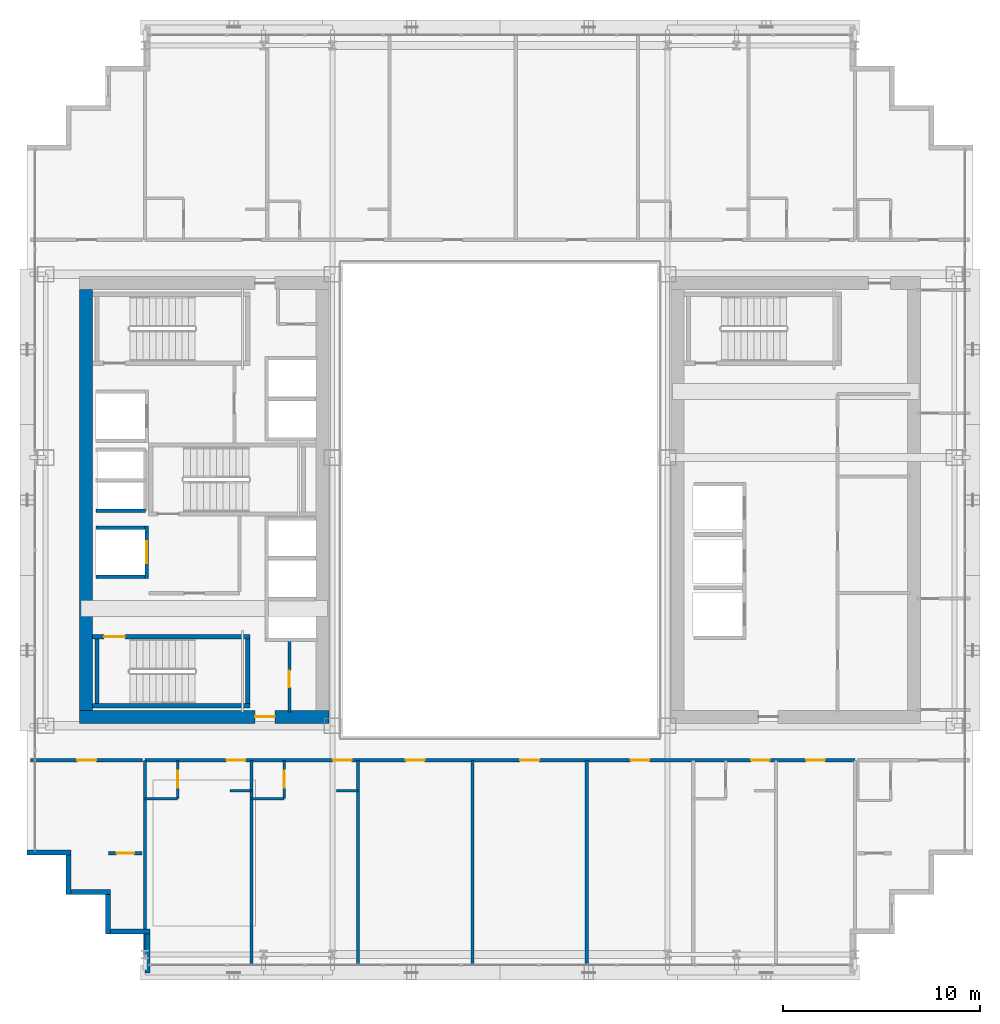
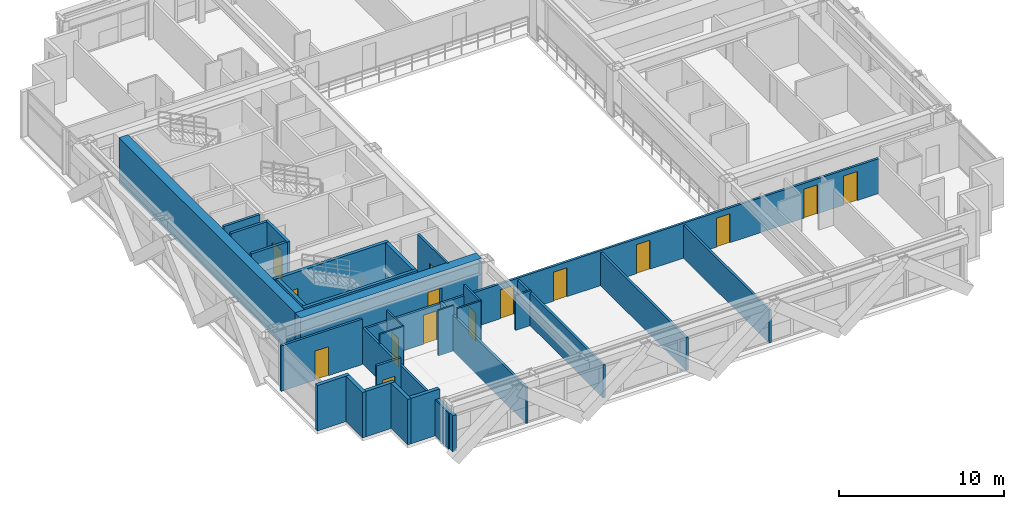
# One storey, part 27 of 35: 31 walls, 15 doors, 15 openings.
"""IFC4 building model written with IfcOpenShell, lengths in metres."""

from ifc_helpers import new_model, si_unit, direction, frame, frame_2d, origin, place, context, subcontext, project, spatial, rectangle, extrude, source, transform, mapped, material, layer, layer_set, type_object, element, fill, save


model = new_model("IFC4")

# Units and contexts
model_context = context("Model", 3, precision=1e-05, world=origin(), true_north=direction((0.0, 1.0)))
body_context = subcontext(model_context, "Body", "Model", "MODEL_VIEW")
ifc_project = project(units=[si_unit("LENGTHUNIT", "METRE"), si_unit("AREAUNIT", "SQUARE_METRE"), si_unit("VOLUMEUNIT", "CUBIC_METRE"), si_unit("PLANEANGLEUNIT", "RADIAN"), si_unit("MASSUNIT", "GRAM", prefix="KILO")], contexts=[model_context])

# Site, building, storey
site_placement = place(None, origin())
site = spatial("IfcSite", under=ifc_project, at=site_placement, CompositionType="ELEMENT")
building_placement = place(site_placement, origin())
building = spatial("IfcBuilding", under=site, at=building_placement, Name="Ocotamira Hotel", CompositionType="ELEMENT")
storey_placement = place(building_placement, frame((0.0, 0.0, 118.800048828125)))
storey = spatial("IfcBuildingStorey", under=building, at=storey_placement, Name="L29", CompositionType="ELEMENT", Elevation=118.800048828125)

# Wall, opening, door
ifc_material_1 = material(Name="Concrete C60/75", Category="concrete")
ifc_layer_1 = layer(ifc_material_1, 0.64990234375)
ifc_layer_set_1 = layer_set([ifc_layer_1], Name="Concrete C60/75")
wall_type_1 = type_object("IfcWallType", Name="WL-CORE-650", PredefinedType="SHEAR", material=ifc_layer_set_1)
wall_1_placement = place(storey_placement, frame((10.675048828125, 15.0, 0.0), z_axis=(0.0, 0.0, 1.0), x_axis=(1.0, 0.0, 0.0)))
wall_1 = element("IfcWall", 1, at=wall_1_placement, inside=storey, type_object=wall_type_1, Name="L29 Shear Core Wall WCORE-S", PredefinedType="SHEAR", context=body_context, shape_type="SweptSolid", body=[
    extrude(rectangle(XDim=12.64990234375, YDim=0.64990234375, at=frame_2d((6.324951171875, 0.0))), origin(), (0.0, 0.0, 1.0), 3.35986328125),
])
opening_1_placement = place(wall_1_placement, frame((8.905029296875, 0.0, 0.0)))
opening_1 = element("IfcOpeningElement", 2, at=opening_1_placement, cuts=wall_1, Name="Opening D-FR2", PredefinedType="OPENING", context=body_context, shape_type="SweptSolid", body=[
    extrude(rectangle(XDim=1.0, YDim=2.14990234375, at=frame_2d((0.5, 1.074951171875))), frame((0.0, 0.3349609375, 0.0), z_axis=(0.0, -1.0, 0.0), x_axis=(1.0, 0.0, 0.0)), (0.0, 0.0, 1.0), 0.669921875),
])
ifc_material_2 = material(Name="Fire-rated acoustic timber-veneer door", Category="wood")
door_type_1 = type_object("IfcDoorType", Name="DR-FIRE-1000", OperationType="NOTDEFINED", PredefinedType="DOOR", material=ifc_material_2)
shared_shape_1 = source(origin(), body_context, "Body", "SweptSolid", [
    extrude(rectangle(XDim=1.0, YDim=2.14990234375, at=frame_2d((0.5, 1.074951171875))), frame((0.0, 0.02490234375, 0.0), z_axis=(0.0, -1.0, 0.0), x_axis=(1.0, 0.0, 0.0)), (0.0, 0.0, 1.0), 0.050048828125),
])
door_1_placement = place(opening_1_placement, origin())
door_1 = element("IfcDoor", 3, at=door_1_placement, inside=storey, type_object=door_type_1, Name="L29 Door ID-L29-WLOB-S-D [ID-L29-WLOB-S-D]", OperationType="SINGLE_SWING_LEFT", OverallHeight=2.14990234375, OverallWidth=1.0, PredefinedType="DOOR", context=body_context, shape_type="MappedRepresentation", body=[
    mapped(shared_shape_1, transform((0.0, 0.0, 0.0), scale=1.0)),
])
fill(opening_1, door_1)

# Walls
wall_2_placement = place(storey_placement, frame((11.0, 15.324951171875, 0.0), z_axis=(0.0, 0.0, 1.0), x_axis=(0.0, 1.0, 0.0)))
element("IfcWall", 4, at=wall_2_placement, inside=storey, type_object=wall_type_1, Name="L29 Shear Core Wall WCORE-W", PredefinedType="SHEAR", context=body_context, shape_type="SweptSolid", body=[
    extrude(rectangle(XDim=21.35009765625, YDim=0.64990234375, at=frame_2d((10.675048828125, 0.0))), origin(), (0.0, 0.0, 1.0), 3.35986328125),
])
ifc_material_3 = material(Name="Precast concrete C45/55", Category="concrete")
ifc_layer_2 = layer(ifc_material_3, 0.25)
ifc_layer_set_2 = layer_set([ifc_layer_2], Name="Precast concrete C45/55")
wall_type_2 = type_object("IfcWallType", Name="WL-EXT-SER-250", PredefinedType="SOLIDWALL", material=ifc_layer_set_2)
wall_3_placement = place(storey_placement, frame((8.0, 8.125, 0.0), z_axis=(0.0, 0.0, 1.0), x_axis=(1.0, 0.0, 0.0)))
element("IfcWall", 5, at=wall_3_placement, inside=storey, type_object=wall_type_2, Name="L29 Serrated Corner Wall 19", PredefinedType="SOLIDWALL", context=body_context, shape_type="SweptSolid", body=[
    extrude(rectangle(XDim=2.25, YDim=0.25, at=frame_2d((1.125, 0.0))), origin(), (0.0, 0.0, 1.0), 3.35986328125),
])
for number, where, z_axis, x_axis, name in (
    (6, (10.125, 8.0, 0.0), (0.0, 0.0, 1.0), (0.0, -1.0, 0.0), "L29 Serrated Corner Wall 20"),
    (7, (10.25, 6.125, 0.0), (0.0, 0.0, 1.0), (1.0, 0.0, 0.0), "L29 Serrated Corner Wall 21"),
    (8, (12.125, 6.0, 0.0), (0.0, 0.0, 1.0), (0.0, -1.0, 0.0), "L29 Serrated Corner Wall 22"),
    (9, (12.25, 4.125, 0.0), (0.0, 0.0, 1.0), (1.0, 0.0, 0.0), "L29 Serrated Corner Wall 23"),
):
    element("IfcWall", number, at=place(storey_placement, frame(where, z_axis=z_axis, x_axis=x_axis)), inside=storey, type_object=wall_type_2, Name=name, PredefinedType="SOLIDWALL", context=body_context, shape_type="SweptSolid", body=[
        extrude(rectangle(XDim=2.0, YDim=0.25, at=frame_2d((1.0, 0.0))), origin(), (0.0, 0.0, 1.0), 3.35986328125),
    ])
wall_4_placement = place(storey_placement, frame((14.125, 4.0, 0.0), z_axis=(0.0, 0.0, 1.0), x_axis=(0.0, -1.0, 0.0)))
element("IfcWall", 10, at=wall_4_placement, inside=storey, type_object=wall_type_2, Name="L29 Serrated Corner Wall 24", PredefinedType="SOLIDWALL", context=body_context, shape_type="SweptSolid", body=[
    extrude(rectangle(XDim=2.0, YDim=0.25, at=frame_2d((1.0, 0.0))), origin(), (0.0, 0.0, 1.0), 2.6669921875),
])

# Wall, opening, door
ifc_material_4 = material(Name="Acoustic double-layer fire gypsum board partition", Category="gypsum")
ifc_layer_3 = layer(ifc_material_4, 0.159912109375)
ifc_layer_set_3 = layer_set([ifc_layer_3], Name="Acoustic double-layer fire gypsum board partition")
wall_type_3 = type_object("IfcWallType", Name="WL-FIRE-160", PredefinedType="PARTITIONING", material=ifc_layer_set_3)
wall_5_placement = place(storey_placement, frame((8.199951171875, 12.800048828125, 0.0), z_axis=(0.0, 0.0, 1.0), x_axis=(1.0, 0.0, 0.0)))
wall_5 = element("IfcWall", 11, at=wall_5_placement, inside=storey, type_object=wall_type_3, Name="L29 Interior Wall PW-L29-Z2C-CSW-CW", PredefinedType="PARTITIONING", context=body_context, shape_type="SweptSolid", body=[
    extrude(rectangle(XDim=5.679931640625, YDim=0.159912109375, at=frame_2d((2.83984375, 0.0))), origin(), (0.0, 0.0, 1.0), 3.35986328125),
])
opening_2_placement = place(wall_5_placement, frame((2.360107421875, 0.0, 0.0)))
opening_2 = element("IfcOpeningElement", 12, at=opening_2_placement, cuts=wall_5, Name="Opening D-SV4", PredefinedType="OPENING", context=body_context, shape_type="SweptSolid", body=[
    extrude(rectangle(XDim=0.9599609375, YDim=2.14990234375, at=frame_2d((0.47998046875, 1.074951171875))), frame((0.0, 0.08984375, 0.0), z_axis=(0.0, -1.0, 0.0), x_axis=(1.0, 0.0, 0.0)), (0.0, 0.0, 1.0), 0.179931640625),
])
ifc_material_5 = material(Name="Fire-rated accessible walnut salon door", Category="wood")
door_type_2 = type_object("IfcDoorType", Name="DR-SERV-960", OperationType="NOTDEFINED", PredefinedType="DOOR", material=ifc_material_5)
shared_shape_2 = source(origin(), body_context, "Body", "SweptSolid", [
    extrude(rectangle(XDim=0.9599609375, YDim=2.14990234375, at=frame_2d((0.47998046875, 1.074951171875))), frame((0.0, 0.02490234375, 0.0), z_axis=(0.0, -1.0, 0.0), x_axis=(1.0, 0.0, 0.0)), (0.0, 0.0, 1.0), 0.050048828125),
])
door_2_placement = place(opening_2_placement, origin())
door_2 = element("IfcDoor", 13, at=door_2_placement, inside=storey, type_object=door_type_2, Name="L29 Door ID-L29-Z2C-CSW-CD [ID-L29-Z2C-CSW-CD]", OperationType="SINGLE_SWING_LEFT", OverallHeight=2.14990234375, OverallWidth=0.9599609375, PredefinedType="DOOR", context=body_context, shape_type="MappedRepresentation", body=[
    mapped(shared_shape_2, transform((0.0, 0.0, 0.0), scale=1.0)),
])
fill(opening_2, door_2)

wall_6_placement = place(storey_placement, frame((12.14990234375, 8.080078125, 0.0), z_axis=(0.0, 0.0, 1.0), x_axis=(1.0, 0.0, 0.0)))
wall_6 = element("IfcWall", 14, at=wall_6_placement, inside=storey, type_object=wall_type_3, Name="L29 Interior Wall PW-L29-Z2C-CSW2-CW", PredefinedType="PARTITIONING", context=body_context, shape_type="SweptSolid", body=[
    extrude(rectangle(XDim=1.7001953125, YDim=0.159912109375, at=frame_2d((0.85009765625, 0.0))), origin(), (0.0, 0.0, 1.0), 3.35986328125),
])
opening_3_placement = place(wall_6_placement, frame((0.409912109375, 0.0, 0.0)))
opening_3 = element("IfcOpeningElement", 15, at=opening_3_placement, cuts=wall_6, Name="Opening D-SV2", PredefinedType="OPENING", context=body_context, shape_type="SweptSolid", body=[
    extrude(rectangle(XDim=0.8798828125, YDim=2.14990234375, at=frame_2d((0.43994140625, 1.074951171875))), frame((0.0, 0.08984375, 0.0), z_axis=(0.0, -1.0, 0.0), x_axis=(1.0, 0.0, 0.0)), (0.0, 0.0, 1.0), 0.179931640625),
])
ifc_material_6 = material(Name="Fire-rated painted steel service door", Category="steel")
door_type_3 = type_object("IfcDoorType", Name="DR-SERV-880", OperationType="NOTDEFINED", PredefinedType="DOOR", material=ifc_material_6)
shared_shape_3 = source(origin(), body_context, "Body", "SweptSolid", [
    extrude(rectangle(XDim=0.8798828125, YDim=2.14990234375, at=frame_2d((0.43994140625, 1.074951171875))), frame((0.0, 0.02490234375, 0.0), z_axis=(0.0, -1.0, 0.0), x_axis=(1.0, 0.0, 0.0)), (0.0, 0.0, 1.0), 0.050048828125),
])
door_3_placement = place(opening_3_placement, origin())
door_3 = element("IfcDoor", 16, at=door_3_placement, inside=storey, type_object=door_type_3, Name="L29 Door ID-L29-Z2C-CSW2-CD [ID-L29-Z2C-CSW2-CD]", OperationType="SINGLE_SWING_LEFT", OverallHeight=2.14990234375, OverallWidth=0.8798828125, PredefinedType="DOOR", context=body_context, shape_type="MappedRepresentation", body=[
    mapped(shared_shape_3, transform((0.0, 0.0, 0.0), scale=1.0)),
])
fill(opening_3, door_3)

# Wall, openings, doors
wall_7_placement = place(storey_placement, frame((14.0, 12.800048828125, 0.0), z_axis=(0.0, 0.0, 1.0), x_axis=(1.0, 0.0, 0.0)))
wall_7 = element("IfcWall", 17, at=wall_7_placement, inside=storey, type_object=wall_type_3, Name="L29 Interior Wall PW-L29-Z2CS-CORRW", PredefinedType="PARTITIONING", context=body_context, shape_type="SweptSolid", body=[
    extrude(rectangle(XDim=36.0, YDim=0.159912109375, at=frame_2d((18.0, 0.0))), origin(), (0.0, 0.0, 1.0), 2.5810546875),
])
opening_4_placement = place(wall_7_placement, frame((4.139892578125, 0.0, 0.0)))
opening_4 = element("IfcOpeningElement", 18, at=opening_4_placement, cuts=wall_7, Name="Opening D-GR1", PredefinedType="OPENING", context=body_context, shape_type="SweptSolid", body=[
    extrude(rectangle(XDim=0.93994140625, YDim=2.14990234375, at=frame_2d((0.469970703125, 1.074951171875))), frame((0.0, 0.08984375, 0.0), z_axis=(0.0, -1.0, 0.0), x_axis=(1.0, 0.0, 0.0)), (0.0, 0.0, 1.0), 0.179931640625),
])
opening_5_placement = place(wall_7_placement, frame((9.5400390625, 0.0, 0.0)))
opening_5 = element("IfcOpeningElement", 19, at=opening_5_placement, cuts=wall_7, Name="Opening D-GR1", PredefinedType="OPENING", context=body_context, shape_type="SweptSolid", body=[
    extrude(rectangle(XDim=0.93994140625, YDim=2.14990234375, at=frame_2d((0.469970703125, 1.074951171875))), frame((0.0, 0.08984375, 0.0), z_axis=(0.0, -1.0, 0.0), x_axis=(1.0, 0.0, 0.0)), (0.0, 0.0, 1.0), 0.179931640625),
])
opening_6_placement = place(wall_7_placement, frame((13.219970703125, 0.0, 0.0)))
opening_6 = element("IfcOpeningElement", 20, at=opening_6_placement, cuts=wall_7, Name="Opening D-SV4", PredefinedType="OPENING", context=body_context, shape_type="SweptSolid", body=[
    extrude(rectangle(XDim=0.9599609375, YDim=2.14990234375, at=frame_2d((0.47998046875, 1.074951171875))), frame((0.0, 0.08984375, 0.0), z_axis=(0.0, -1.0, 0.0), x_axis=(1.0, 0.0, 0.0)), (0.0, 0.0, 1.0), 0.179931640625),
])
opening_7_placement = place(wall_7_placement, frame((19.02001953125, 0.0, 0.0)))
opening_7 = element("IfcOpeningElement", 21, at=opening_7_placement, cuts=wall_7, Name="Opening D-SV4", PredefinedType="OPENING", context=body_context, shape_type="SweptSolid", body=[
    extrude(rectangle(XDim=0.9599609375, YDim=2.14990234375, at=frame_2d((0.47998046875, 1.074951171875))), frame((0.0, 0.08984375, 0.0), z_axis=(0.0, -1.0, 0.0), x_axis=(1.0, 0.0, 0.0)), (0.0, 0.0, 1.0), 0.179931640625),
])
opening_8_placement = place(wall_7_placement, frame((24.6201171875, 0.0, 0.0)))
opening_8 = element("IfcOpeningElement", 22, at=opening_8_placement, cuts=wall_7, Name="Opening D-SV4", PredefinedType="OPENING", context=body_context, shape_type="SweptSolid", body=[
    extrude(rectangle(XDim=0.9599609375, YDim=2.14990234375, at=frame_2d((0.47998046875, 1.074951171875))), frame((0.0, 0.08984375, 0.0), z_axis=(0.0, -1.0, 0.0), x_axis=(1.0, 0.0, 0.0)), (0.0, 0.0, 1.0), 0.179931640625),
])
opening_9_placement = place(wall_7_placement, frame((30.739990234375, 0.0, 0.0)))
opening_9 = element("IfcOpeningElement", 23, at=opening_9_placement, cuts=wall_7, Name="Opening D-GR1", PredefinedType="OPENING", context=body_context, shape_type="SweptSolid", body=[
    extrude(rectangle(XDim=0.93994140625, YDim=2.14990234375, at=frame_2d((0.469970703125, 1.074951171875))), frame((0.0, 0.08984375, 0.0), z_axis=(0.0, -1.0, 0.0), x_axis=(1.0, 0.0, 0.0)), (0.0, 0.0, 1.0), 0.179931640625),
])
opening_10_placement = place(wall_7_placement, frame((33.52001953125, 0.0, 0.0)))
opening_10 = element("IfcOpeningElement", 24, at=opening_10_placement, cuts=wall_7, Name="Opening D-SV4", PredefinedType="OPENING", context=body_context, shape_type="SweptSolid", body=[
    extrude(rectangle(XDim=0.9599609375, YDim=2.14990234375, at=frame_2d((0.47998046875, 1.074951171875))), frame((0.0, 0.08984375, 0.0), z_axis=(0.0, -1.0, 0.0), x_axis=(1.0, 0.0, 0.0)), (0.0, 0.0, 1.0), 0.179931640625),
])
door_4_placement = place(opening_6_placement, origin())
door_4 = element("IfcDoor", 25, at=door_4_placement, inside=storey, type_object=door_type_2, Name="L29 Door ID-L29-Z2CS-AMD3 [ID-L29-Z2CS-AMD3]", OperationType="SINGLE_SWING_LEFT", OverallHeight=2.14990234375, OverallWidth=0.9599609375, PredefinedType="DOOR", context=body_context, shape_type="MappedRepresentation", body=[
    mapped(shared_shape_2, transform((0.0, 0.0, 0.0), scale=1.0)),
])
fill(opening_6, door_4)
door_5_placement = place(opening_7_placement, origin())
door_5 = element("IfcDoor", 26, at=door_5_placement, inside=storey, type_object=door_type_2, Name="L29 Door ID-L29-Z2CS-AMD4 [ID-L29-Z2CS-AMD4]", OperationType="SINGLE_SWING_RIGHT", OverallHeight=2.14990234375, OverallWidth=0.9599609375, PredefinedType="DOOR", context=body_context, shape_type="MappedRepresentation", body=[
    mapped(shared_shape_2, transform((0.0, 0.0, 0.0), scale=1.0)),
])
fill(opening_7, door_5)
door_6_placement = place(opening_8_placement, origin())
door_6 = element("IfcDoor", 27, at=door_6_placement, inside=storey, type_object=door_type_2, Name="L29 Door ID-L29-Z2CS-AMD5 [ID-L29-Z2CS-AMD5]", OperationType="SINGLE_SWING_LEFT", OverallHeight=2.14990234375, OverallWidth=0.9599609375, PredefinedType="DOOR", context=body_context, shape_type="MappedRepresentation", body=[
    mapped(shared_shape_2, transform((0.0, 0.0, 0.0), scale=1.0)),
])
fill(opening_8, door_6)
door_7_placement = place(opening_10_placement, origin())
door_7 = element("IfcDoor", 28, at=door_7_placement, inside=storey, type_object=door_type_2, Name="L29 Door ID-L29-Z2CS-AMD7 [ID-L29-Z2CS-AMD7]", OperationType="SINGLE_SWING_LEFT", OverallHeight=2.14990234375, OverallWidth=0.9599609375, PredefinedType="DOOR", context=body_context, shape_type="MappedRepresentation", body=[
    mapped(shared_shape_2, transform((0.0, 0.0, 0.0), scale=1.0)),
])
fill(opening_10, door_7)
ifc_material_7 = material(Name="Solid-core walnut suite entrance fire door", Category="wood")
door_type_4 = type_object("IfcDoorType", Name="DR-GUEST-940", OperationType="NOTDEFINED", PredefinedType="DOOR", material=ifc_material_7)
shared_shape_4 = source(origin(), body_context, "Body", "SweptSolid", [
    extrude(rectangle(XDim=0.93994140625, YDim=2.14990234375, at=frame_2d((0.469970703125, 1.074951171875))), frame((0.0, 0.02490234375, 0.0), z_axis=(0.0, -1.0, 0.0), x_axis=(1.0, 0.0, 0.0)), (0.0, 0.0, 1.0), 0.050048828125),
])
door_8_placement = place(opening_4_placement, origin())
door_8 = element("IfcDoor", 29, at=door_8_placement, inside=storey, type_object=door_type_4, Name="L29 Door ID-L29-Z2CS-RMD1 [ID-L29-Z2CS-RMD1]", OperationType="SINGLE_SWING_LEFT", OverallHeight=2.14990234375, OverallWidth=0.93994140625, PredefinedType="DOOR", context=body_context, shape_type="MappedRepresentation", body=[
    mapped(shared_shape_4, transform((0.0, 0.0, 0.0), scale=1.0)),
])
fill(opening_4, door_8)
door_9_placement = place(opening_5_placement, origin())
door_9 = element("IfcDoor", 30, at=door_9_placement, inside=storey, type_object=door_type_4, Name="L29 Door ID-L29-Z2CS-RMD2 [ID-L29-Z2CS-RMD2]", OperationType="SINGLE_SWING_RIGHT", OverallHeight=2.14990234375, OverallWidth=0.93994140625, PredefinedType="DOOR", context=body_context, shape_type="MappedRepresentation", body=[
    mapped(shared_shape_4, transform((0.0, 0.0, 0.0), scale=1.0)),
])
fill(opening_5, door_9)
door_10_placement = place(opening_9_placement, origin())
door_10 = element("IfcDoor", 31, at=door_10_placement, inside=storey, type_object=door_type_4, Name="L29 Door ID-L29-Z2CS-RMD6 [ID-L29-Z2CS-RMD6]", OperationType="SINGLE_SWING_RIGHT", OverallHeight=2.14990234375, OverallWidth=0.93994140625, PredefinedType="DOOR", context=body_context, shape_type="MappedRepresentation", body=[
    mapped(shared_shape_4, transform((0.0, 0.0, 0.0), scale=1.0)),
])
fill(opening_9, door_10)

# Wall, opening, door
ifc_material_8 = material(Name="Moisture-resistant en-suite tile and gypsum partition", Category="gypsum")
ifc_layer_4 = layer(ifc_material_8, 0.1201171875)
ifc_layer_set_4 = layer_set([ifc_layer_4], Name="Moisture-resistant en-suite tile and gypsum partition")
wall_type_4 = type_object("IfcWallType", Name="WL-PART-120", PredefinedType="PARTITIONING", material=ifc_layer_set_4)
wall_8_placement = place(storey_placement, frame((15.64990234375, 10.85009765625, 0.0), z_axis=(0.0, 0.0, 1.0), x_axis=(0.0, 1.0, 0.0)))
wall_8 = element("IfcWall", 32, at=wall_8_placement, inside=storey, type_object=wall_type_4, Name="L29 Interior Wall PW-L29-Z2CS-BAE1", PredefinedType="PARTITIONING", context=body_context, shape_type="SweptSolid", body=[
    extrude(rectangle(XDim=1.949951171875, YDim=0.1201171875, at=frame_2d((0.97509765625, 0.0))), origin(), (0.0, 0.0, 1.0), 3.35986328125),
])
opening_11_placement = place(wall_8_placement, frame((0.544921875, 0.0, 0.0)))
opening_11 = element("IfcOpeningElement", 33, at=opening_11_placement, cuts=wall_8, Name="Opening D-BA1", PredefinedType="OPENING", context=body_context, shape_type="SweptSolid", body=[
    extrude(rectangle(XDim=0.860107421875, YDim=2.10009765625, at=frame_2d((0.43017578125, 1.050048828125))), frame((0.0, 0.070068359375, 0.0), z_axis=(0.0, -1.0, 0.0), x_axis=(1.0, 0.0, 0.0)), (0.0, 0.0, 1.0), 0.14013671875),
])
ifc_material_9 = material(Name="Moisture-sealed en-suite timber door", Category="wood")
door_type_5 = type_object("IfcDoorType", Name="DR-BATH-860", OperationType="NOTDEFINED", PredefinedType="DOOR", material=ifc_material_9)
shared_shape_5 = source(origin(), body_context, "Body", "SweptSolid", [
    extrude(rectangle(XDim=0.860107421875, YDim=2.10009765625, at=frame_2d((0.43017578125, 1.050048828125))), frame((0.0, 0.02490234375, 0.0), z_axis=(0.0, -1.0, 0.0), x_axis=(1.0, 0.0, 0.0)), (0.0, 0.0, 1.0), 0.050048828125),
])
door_11_placement = place(opening_11_placement, origin())
door_11 = element("IfcDoor", 34, at=door_11_placement, inside=storey, type_object=door_type_5, Name="L29 Door ID-L29-Z2CS-BAD1 [ID-L29-Z2CS-BAD1]", OperationType="SINGLE_SWING_RIGHT", OverallHeight=2.10009765625, OverallWidth=0.860107421875, PredefinedType="DOOR", context=body_context, shape_type="MappedRepresentation", body=[
    mapped(shared_shape_5, transform((0.0, 0.0, 0.0), scale=1.0)),
])
fill(opening_11, door_11)

# Walls
wall_9_placement = place(storey_placement, frame((14.0, 10.85009765625, 0.0), z_axis=(0.0, 0.0, 1.0), x_axis=(1.0, 0.0, 0.0)))
element("IfcWall", 35, at=wall_9_placement, inside=storey, type_object=wall_type_4, Name="L29 Interior Wall PW-L29-Z2CS-BAS1", PredefinedType="PARTITIONING", context=body_context, shape_type="SweptSolid", body=[
    extrude(rectangle(XDim=1.64990234375, YDim=0.1201171875, at=frame_2d((0.824951171875, 0.0))), origin(), (0.0, 0.0, 1.0), 3.35986328125),
])
wall_10_placement = place(storey_placement, frame((18.300048828125, 11.25, 0.0), z_axis=(0.0, 0.0, 1.0), x_axis=(1.0, 0.0, 0.0)))
element("IfcWall", 36, at=wall_10_placement, inside=storey, type_object=wall_type_4, Name="L29 Interior Wall PW-L29-Z2CS-DRN1", PredefinedType="PARTITIONING", context=body_context, shape_type="SweptSolid", body=[
    extrude(rectangle(XDim=1.099853515625, YDim=0.1201171875, at=frame_2d((0.5498046875, 0.0))), origin(), (0.0, 0.0, 1.0), 3.35986328125),
])

# Wall, opening, door
wall_11_placement = place(storey_placement, frame((21.050048828125, 10.85009765625, 0.0), z_axis=(0.0, 0.0, 1.0), x_axis=(0.0, 1.0, 0.0)))
wall_11 = element("IfcWall", 37, at=wall_11_placement, inside=storey, type_object=wall_type_4, Name="L29 Interior Wall PW-L29-Z2CS-BAE2", PredefinedType="PARTITIONING", context=body_context, shape_type="SweptSolid", body=[
    extrude(rectangle(XDim=1.949951171875, YDim=0.1201171875, at=frame_2d((0.97509765625, 0.0))), origin(), (0.0, 0.0, 1.0), 3.35986328125),
])
opening_12_placement = place(wall_11_placement, frame((0.544921875, 0.0, 0.0)))
opening_12 = element("IfcOpeningElement", 38, at=opening_12_placement, cuts=wall_11, Name="Opening D-BA1", PredefinedType="OPENING", context=body_context, shape_type="SweptSolid", body=[
    extrude(rectangle(XDim=0.860107421875, YDim=2.10009765625, at=frame_2d((0.43017578125, 1.050048828125))), frame((0.0, 0.070068359375, 0.0), z_axis=(0.0, -1.0, 0.0), x_axis=(1.0, 0.0, 0.0)), (0.0, 0.0, 1.0), 0.14013671875),
])
door_12_placement = place(opening_12_placement, origin())
door_12 = element("IfcDoor", 39, at=door_12_placement, inside=storey, type_object=door_type_5, Name="L29 Door ID-L29-Z2CS-BAD2 [ID-L29-Z2CS-BAD2]", OperationType="SINGLE_SWING_LEFT", OverallHeight=2.10009765625, OverallWidth=0.860107421875, PredefinedType="DOOR", context=body_context, shape_type="MappedRepresentation", body=[
    mapped(shared_shape_5, transform((0.0, 0.0, 0.0), scale=1.0)),
])
fill(opening_12, door_12)

# Walls
wall_12_placement = place(storey_placement, frame((19.39990234375, 10.85009765625, 0.0), z_axis=(0.0, 0.0, 1.0), x_axis=(1.0, 0.0, 0.0)))
element("IfcWall", 40, at=wall_12_placement, inside=storey, type_object=wall_type_4, Name="L29 Interior Wall PW-L29-Z2CS-BAS2", PredefinedType="PARTITIONING", context=body_context, shape_type="SweptSolid", body=[
    extrude(rectangle(XDim=1.650146484375, YDim=0.1201171875, at=frame_2d((0.8251953125, 0.0))), origin(), (0.0, 0.0, 1.0), 3.35986328125),
])
wall_13_placement = place(storey_placement, frame((23.699951171875, 11.25, 0.0), z_axis=(0.0, 0.0, 1.0), x_axis=(1.0, 0.0, 0.0)))
element("IfcWall", 41, at=wall_13_placement, inside=storey, type_object=wall_type_4, Name="L29 Interior Wall PW-L29-Z2CS-DRN2", PredefinedType="PARTITIONING", context=body_context, shape_type="SweptSolid", body=[
    extrude(rectangle(XDim=1.10009765625, YDim=0.1201171875, at=frame_2d((0.550048828125, 0.0))), origin(), (0.0, 0.0, 1.0), 2.5810546875),
])

# Wall, opening, door
ifc_material_10 = material(Name="Acoustic hospitality gypsum board partition", Category="gypsum")
ifc_layer_5 = layer(ifc_material_10, 0.14208984375)
ifc_layer_set_5 = layer_set([ifc_layer_5], Name="Acoustic hospitality gypsum board partition")
wall_type_5 = type_object("IfcWallType", Name="WL-PART-142", PredefinedType="PARTITIONING", material=ifc_layer_set_5)
wall_14_placement = place(storey_placement, frame((21.320068359375, 15.25, 0.0), z_axis=(0.0, 0.0, 1.0), x_axis=(0.0, 1.0, 0.0)))
wall_14 = element("IfcWall", 42, at=wall_14_placement, inside=storey, type_object=wall_type_5, Name="L29 Interior Wall PW-L29-WC-SE-W", PredefinedType="PARTITIONING", context=body_context, shape_type="SweptSolid", body=[
    extrude(rectangle(XDim=3.590087890625, YDim=0.14208984375, at=frame_2d((1.794921875, 0.0))), origin(), (0.0, 0.0, 1.0), 3.35986328125),
])
opening_13_placement = place(wall_14_placement, frame((1.25, 0.0, 0.0)))
opening_13 = element("IfcOpeningElement", 43, at=opening_13_placement, cuts=wall_14, Name="Opening D-SV1", PredefinedType="OPENING", context=body_context, shape_type="SweptSolid", body=[
    extrude(rectangle(XDim=0.840087890625, YDim=2.10009765625, at=frame_2d((0.419921875, 1.050048828125))), frame((0.0, 0.0810546875, 0.0), z_axis=(0.0, -1.0, 0.0), x_axis=(1.0, 0.0, 0.0)), (0.0, 0.0, 1.0), 0.162109375),
])
door_type_6 = type_object("IfcDoorType", Name="DR-SERV-840", OperationType="NOTDEFINED", PredefinedType="DOOR", material=ifc_material_6)
shared_shape_6 = source(origin(), body_context, "Body", "SweptSolid", [
    extrude(rectangle(XDim=0.840087890625, YDim=2.10009765625, at=frame_2d((0.419921875, 1.050048828125))), frame((0.0, 0.02490234375, 0.0), z_axis=(0.0, -1.0, 0.0), x_axis=(1.0, 0.0, 0.0)), (0.0, 0.0, 1.0), 0.050048828125),
])
door_13_placement = place(opening_13_placement, origin())
door_13 = element("IfcDoor", 44, at=door_13_placement, inside=storey, type_object=door_type_6, Name="L29 Door ID-L29-WC-SE-D [ID-L29-WC-SE-D]", OperationType="SINGLE_SWING_RIGHT", OverallHeight=2.10009765625, OverallWidth=0.840087890625, PredefinedType="DOOR", context=body_context, shape_type="MappedRepresentation", body=[
    mapped(shared_shape_6, transform((0.0, 0.0, 0.0), scale=1.0)),
])
fill(opening_13, door_13)

# Walls
ifc_material_11 = material(Name="Acoustic double-stud hospitality gypsum partition", Category="gypsum")
ifc_layer_6 = layer(ifc_material_11, 0.159912109375)
ifc_layer_set_6 = layer_set([ifc_layer_6], Name="Acoustic double-stud hospitality gypsum partition")
wall_type_6 = type_object("IfcWallType", Name="WL-PART-160", PredefinedType="PARTITIONING", material=ifc_layer_set_6)
for number, where, z_axis, x_axis, name in (
    (45, (14.0, 2.360107421875, 0.0), (0.0, 0.0, 1.0), (0.0, 1.0, 0.0), "L29 Interior Wall PW-L29-Z2CS-PW0"),
    (46, (19.39990234375, 2.360107421875, 0.0), (0.0, 0.0, 1.0), (0.0, 1.0, 0.0), "L29 Interior Wall PW-L29-Z2CS-PW1"),
):
    element("IfcWall", number, at=place(storey_placement, frame(where, z_axis=z_axis, x_axis=x_axis)), inside=storey, type_object=wall_type_6, Name=name, PredefinedType="PARTITIONING", context=body_context, shape_type="SweptSolid", body=[
        extrude(rectangle(XDim=10.43994140625, YDim=0.159912109375, at=frame_2d((5.219970703125, 0.0))), origin(), (0.0, 0.0, 1.0), 2.6669921875),
    ])
for number, where, z_axis, x_axis, name in (
    (47, (24.800048828125, 2.360107421875, 0.0), (0.0, 0.0, 1.0), (0.0, 1.0, 0.0), "L29 Interior Wall PW-L29-Z2CS-PW2"),
    (48, (30.60009765625, 2.360107421875, 0.0), (0.0, 0.0, 1.0), (0.0, 1.0, 0.0), "L29 Interior Wall PW-L29-Z2CS-PW3"),
    (49, (36.39990234375, 2.360107421875, 0.0), (0.0, 0.0, 1.0), (0.0, 1.0, 0.0), "L29 Interior Wall PW-L29-Z2CS-PW4"),
):
    element("IfcWall", number, at=place(storey_placement, frame(where, z_axis=z_axis, x_axis=x_axis)), inside=storey, type_object=wall_type_6, Name=name, PredefinedType="PARTITIONING", context=body_context, shape_type="SweptSolid", body=[
        extrude(rectangle(XDim=10.43994140625, YDim=0.159912109375, at=frame_2d((5.219970703125, 0.0))), origin(), (0.0, 0.0, 1.0), 2.432861328125),
    ])
ifc_material_12 = material(Name="Fire-rated gypsum shaftliner board assembly", Category="gypsum")
ifc_layer_7 = layer(ifc_material_12, 0.179931640625)
ifc_layer_set_7 = layer_set([ifc_layer_7], Name="Fire-rated gypsum shaftliner board assembly")
wall_type_7 = type_object("IfcWallType", Name="WL-SHAFT-180", PredefinedType="SOLIDWALL", material=ifc_layer_set_7)
for number, where, z_axis, x_axis, name in (
    (50, (11.5, 22.110107421875, 0.0), (0.0, 0.0, 1.0), (1.0, 0.0, 0.0), "L29 Interior Wall PW-L29-LFW-LF-FSAE1-S"),
    (51, (11.5, 24.590087890625, 0.0), (0.0, 0.0, 1.0), (1.0, 0.0, 0.0), "L29 Interior Wall PW-L29-LFW-LF-FSAE1-N"),
):
    element("IfcWall", number, at=place(storey_placement, frame(where, z_axis=z_axis, x_axis=x_axis)), inside=storey, type_object=wall_type_7, Name=name, PredefinedType="SOLIDWALL", context=body_context, shape_type="SweptSolid", body=[
        extrude(rectangle(XDim=2.5, YDim=0.179931640625, at=frame_2d((1.25, 0.0))), origin(), (0.0, 0.0, 1.0), 3.35986328125),
    ])

# Wall, opening, door
wall_15_placement = place(storey_placement, frame((14.090087890625, 22.02001953125, 0.0), z_axis=(0.0, 0.0, 1.0), x_axis=(0.0, 1.0, 0.0)))
wall_15 = element("IfcWall", 52, at=wall_15_placement, inside=storey, type_object=wall_type_7, Name="L29 Interior Wall PW-L29-LFW-LF-FSAE1-E", PredefinedType="SOLIDWALL", context=body_context, shape_type="SweptSolid", body=[
    extrude(rectangle(XDim=2.659912109375, YDim=0.179931640625, at=frame_2d((1.330078125, 0.0))), origin(), (0.0, 0.0, 1.0), 3.35986328125),
])
opening_14_placement = place(wall_15_placement, frame((0.780029296875, 0.0, 0.0)))
opening_14 = element("IfcOpeningElement", 53, at=opening_14_placement, cuts=wall_15, Name="Opening LD-LF-FSAE1", PredefinedType="OPENING", context=body_context, shape_type="SweptSolid", body=[
    extrude(rectangle(XDim=1.10009765625, YDim=2.199951171875, at=frame_2d((0.550048828125, 1.10009765625))), frame((0.0, 0.10009765625, 0.0), z_axis=(0.0, -1.0, 0.0), x_axis=(1.0, 0.0, 0.0)), (0.0, 0.0, 1.0), 0.199951171875),
])
ifc_material_13 = material(Name="Brushed pale-metal stainless elevator landing door", Category="steel")
door_type_7 = type_object("IfcDoorType", Name="DR-LIFT-1100", OperationType="NOTDEFINED", PredefinedType="DOOR", material=ifc_material_13)
shared_shape_7 = source(origin(), body_context, "Body", "SweptSolid", [
    extrude(rectangle(XDim=1.10009765625, YDim=2.199951171875, at=frame_2d((0.550048828125, 1.10009765625))), frame((0.0, 0.02490234375, 0.0), z_axis=(0.0, -1.0, 0.0), x_axis=(1.0, 0.0, 0.0)), (0.0, 0.0, 1.0), 0.050048828125),
])
door_14_placement = place(opening_14_placement, origin())
door_14 = element("IfcDoor", 54, at=door_14_placement, inside=storey, type_object=door_type_7, Name="L29 Landing Door LD-LF-FSAE1 [ID-L29-LD-LF-FSAE1]", OperationType="DOUBLE_DOOR_SLIDING", OverallHeight=2.199951171875, OverallWidth=1.10009765625, PredefinedType="DOOR", context=body_context, shape_type="MappedRepresentation", body=[
    mapped(shared_shape_7, transform((0.0, 0.0, 0.0), scale=1.0)),
])
fill(opening_14, door_14)

# Walls
wall_16_placement = place(storey_placement, frame((11.5, 25.4599609375, 0.0), z_axis=(0.0, 0.0, 1.0), x_axis=(1.0, 0.0, 0.0)))
element("IfcWall", 55, at=wall_16_placement, inside=storey, type_object=wall_type_7, Name="L29 Interior Wall PW-L29-RSW-S", PredefinedType="SOLIDWALL", context=body_context, shape_type="SweptSolid", body=[
    extrude(rectangle(XDim=2.510009765625, YDim=0.179931640625, at=frame_2d((1.2548828125, 0.0))), origin(), (0.0, 0.0, 1.0), 3.35986328125),
])
ifc_material_14 = material(Name="Concrete C50/60", Category="concrete")
ifc_layer_8 = layer(ifc_material_14, 0.219970703125)
ifc_layer_set_8 = layer_set([ifc_layer_8], Name="Concrete C50/60")
wall_type_8 = type_object("IfcWallType", Name="WL-STAIR-220", PredefinedType="SHEAR", material=ifc_layer_set_8)
wall_17_placement = place(storey_placement, frame((11.324951171875, 15.56005859375, 0.0), z_axis=(0.0, 0.0, 1.0), x_axis=(1.0, 0.0, 0.0)))
element("IfcWall", 56, at=wall_17_placement, inside=storey, type_object=wall_type_8, Name="L29 Stair Shaft Structural Wall ST-1-S", PredefinedType="SHEAR", context=body_context, shape_type="SweptSolid", body=[
    extrude(rectangle(XDim=7.985107421875, YDim=0.219970703125, at=frame_2d((3.99267578125, 0.0))), origin(), (0.0, 0.0, 1.0), 3.39990234375),
])

# Wall, opening, door
wall_18_placement = place(storey_placement, frame((11.324951171875, 19.06005859375, 0.0), z_axis=(0.0, 0.0, 1.0), x_axis=(1.0, 0.0, 0.0)))
wall_18 = element("IfcWall", 57, at=wall_18_placement, inside=storey, type_object=wall_type_8, Name="L29 Stair Shaft Structural Wall ST-1-N", PredefinedType="SHEAR", context=body_context, shape_type="SweptSolid", body=[
    extrude(rectangle(XDim=7.985107421875, YDim=0.219970703125, at=frame_2d((3.99267578125, 0.0))), origin(), (0.0, 0.0, 1.0), 3.39990234375),
])
opening_15_placement = place(wall_18_placement, frame((0.594970703125, 0.0, 0.0)))
opening_15 = element("IfcOpeningElement", 58, at=opening_15_placement, cuts=wall_18, Name="Opening D-ST2", PredefinedType="OPENING", context=body_context, shape_type="SweptSolid", body=[
    extrude(rectangle(XDim=1.050048828125, YDim=2.14990234375, at=frame_2d((0.52490234375, 1.074951171875))), frame((0.0, 0.1201171875, 0.0), z_axis=(0.0, -1.0, 0.0), x_axis=(1.0, 0.0, 0.0)), (0.0, 0.0, 1.0), 0.239990234375),
])
ifc_material_15 = material(Name="Insulated painted hollow-metal fire exit door", Category="steel")
door_type_8 = type_object("IfcDoorType", Name="DR-STAIR-1050", OperationType="NOTDEFINED", PredefinedType="DOOR", material=ifc_material_15)
shared_shape_8 = source(origin(), body_context, "Body", "SweptSolid", [
    extrude(rectangle(XDim=1.050048828125, YDim=2.14990234375, at=frame_2d((0.52490234375, 1.074951171875))), frame((0.0, 0.02490234375, 0.0), z_axis=(0.0, -1.0, 0.0), x_axis=(1.0, 0.0, 0.0)), (0.0, 0.0, 1.0), 0.050048828125),
])
door_15_placement = place(opening_15_placement, origin())
door_15 = element("IfcDoor", 59, at=door_15_placement, inside=storey, type_object=door_type_8, Name="L29 Door ID-L29-STD-ST-1 [ID-L29-STD-ST-1]", OperationType="SINGLE_SWING_RIGHT", OverallHeight=2.14990234375, OverallWidth=1.050048828125, PredefinedType="DOOR", context=body_context, shape_type="MappedRepresentation", body=[
    mapped(shared_shape_8, transform((0.0, 0.0, 0.0), scale=1.0)),
])
fill(opening_15, door_15)

# Walls
for number, where, z_axis, x_axis, name in (
    (60, (11.56005859375, 15.669921875, 0.0), (0.0, 0.0, 1.0), (0.0, 1.0, 0.0), "L29 Stair Shaft Structural Wall ST-1-W"),
    (61, (19.199951171875, 15.669921875, 0.0), (0.0, 0.0, 1.0), (0.0, 1.0, 0.0), "L29 Stair Shaft Structural Wall ST-1-E"),
):
    element("IfcWall", number, at=place(storey_placement, frame(where, z_axis=z_axis, x_axis=x_axis)), inside=storey, type_object=wall_type_8, Name=name, PredefinedType="SHEAR", context=body_context, shape_type="SweptSolid", body=[
        extrude(rectangle(XDim=3.280029296875, YDim=0.219970703125, at=frame_2d((1.64013671875, 0.0))), origin(), (0.0, 0.0, 1.0), 3.39990234375),
    ])

save(model, "model.ifc")
